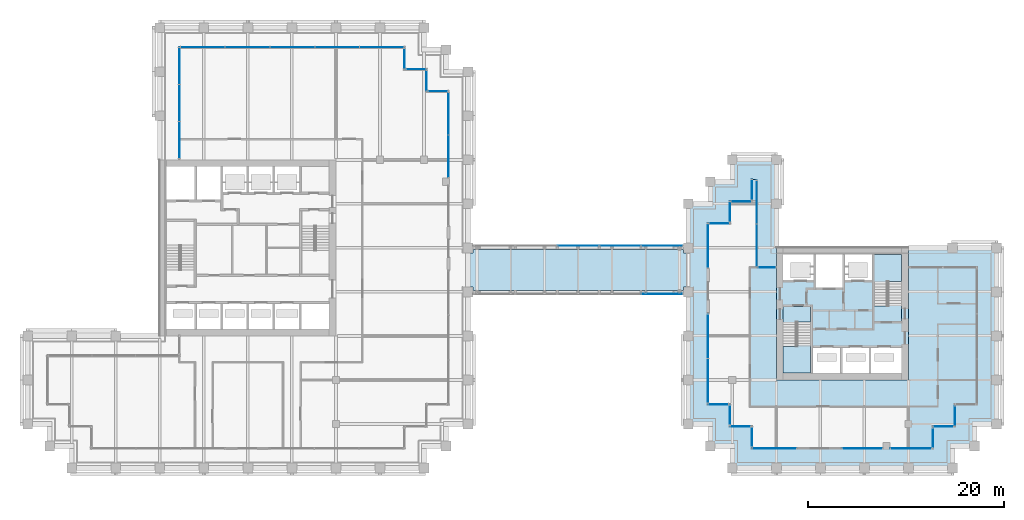
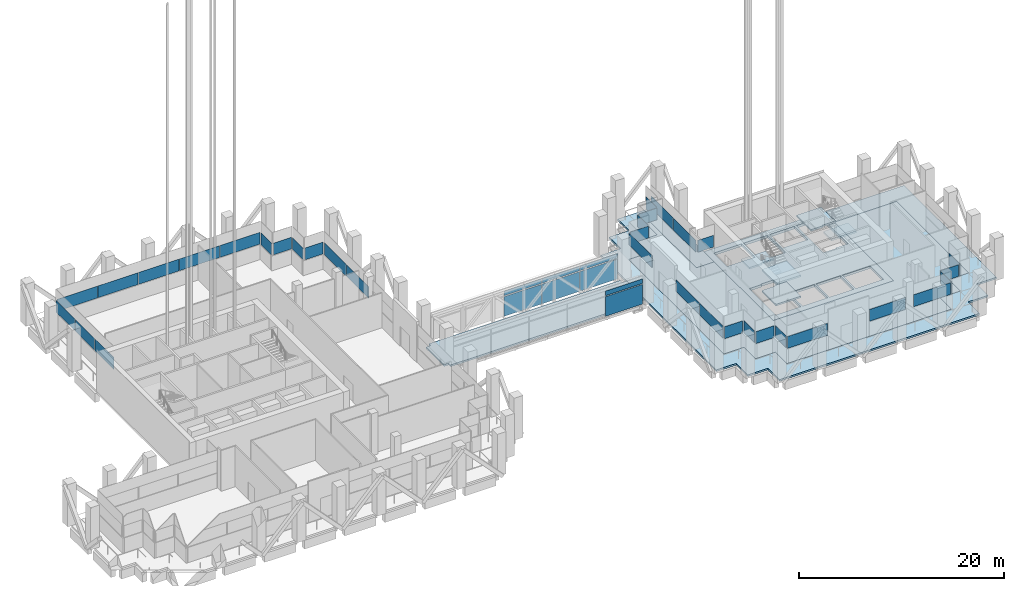
# One storey, part 31 of 48: 42 plates, 9 slabs, 29 elements without a shape of their own.
"""IFC4 building model written with IfcOpenShell, lengths in metres."""

from ifc_helpers import new_model, si_unit, direction, frame, origin, origin_2d, place, context, subcontext, project, spatial, polyline, rectangle, outline, extrude, material, layer, layer_set, type_object, element, aggregate, save


model = new_model("IFC4")

# Units and contexts
model_context = context("Model", 3, precision=1e-05, world=origin(), true_north=direction((0.0, 1.0)))
body_context = subcontext(model_context, "Body", "Model", "MODEL_VIEW")
ifc_project = project(units=[si_unit("LENGTHUNIT", "METRE"), si_unit("AREAUNIT", "SQUARE_METRE"), si_unit("VOLUMEUNIT", "CUBIC_METRE"), si_unit("PLANEANGLEUNIT", "RADIAN"), si_unit("MASSUNIT", "GRAM", prefix="KILO")], contexts=[model_context])

# Site, building, storey
site_placement = place(None, origin())
site = spatial("IfcSite", under=ifc_project, at=site_placement, CompositionType="ELEMENT")
building_placement = place(site_placement, origin())
building = spatial("IfcBuilding", under=site, at=building_placement, Name="Altepetl Exchange Towers", CompositionType="ELEMENT")
storey_placement = place(building_placement, frame((0.0, 0.0, 138.800048828125)))
storey = spatial("IfcBuildingStorey", under=building, at=storey_placement, Name="L34 Refuge and sky lobby", CompositionType="ELEMENT", Elevation=138.800048828125)

# Slabs
ifc_material_1 = material(Name="Concrete C40/50", Category="concrete")
ifc_layer_1 = layer(ifc_material_1, 0.199951171875)
ifc_layer_set_1 = layer_set([ifc_layer_1], Name="Concrete C40/50")
slab_type_1 = type_object("IfcSlabType", Name="Bridge deck slab 200", PredefinedType="FLOOR", material=ifc_layer_set_1)
slab_1_placement = place(storey_placement, frame((0.0, 0.0, -0.199951171875)))
element("IfcSlab", 1, at=slab_1_placement, inside=storey, type_object=slab_type_1, Name="slab:X:L34:deck0", PredefinedType="FLOOR", context=body_context, shape_type="SweptSolid", body=[
    extrude(outline(polyline([(94.0, 45.5), (94.5, 45.5), (94.5, 49.0), (94.0, 49.0), (94.0, 49.346923828125), (72.5, 49.346923828125), (72.5, 49.0), (72.0, 49.0), (72.0, 45.5), (72.5, 45.5), (72.5, 45.153076171875), (94.0, 45.153076171875), (94.0, 45.5)])), origin(), (0.0, 0.0, 1.0), 0.199951171875),
])
ifc_layer_2 = layer(ifc_material_1, 0.199951171875)
ifc_layer_set_2 = layer_set([ifc_layer_2], Name="Concrete C40/50")
slab_type_2 = type_object("IfcSlabType", Name="Composite floor slab 200", PredefinedType="FLOOR", material=ifc_layer_set_2)
slab_2_placement = place(storey_placement, frame((0.0, 0.0, -0.199951171875)))
element("IfcSlab", 2, at=slab_2_placement, inside=storey, type_object=slab_type_2, Name="slab:B:L34:strip0", PredefinedType="FLOOR", context=body_context, shape_type="SweptSolid", body=[
    extrude(outline(polyline([(98.75, 54.25), (98.75, 52.0), (96.5, 52.0), (96.5, 33.5), (98.75, 33.5), (98.75, 31.25), (101.0, 31.25), (101.0, 29.0), (119.5, 29.0), (119.5, 31.25), (121.75, 31.25), (121.75, 33.5), (124.0, 33.5), (124.0, 47.5), (117.0, 47.5), (117.0, 36.0), (103.5, 36.0), (103.5, 47.5), (101.5, 47.5), (101.5, 56.5), (101.0, 56.5), (101.0, 54.25), (98.75, 54.25)])), origin(), (0.0, 0.0, 1.0), 0.199951171875),
])
ifc_layer_3 = layer(ifc_material_1, 0.300048828125)
ifc_layer_set_3 = layer_set([ifc_layer_3], Name="Concrete C40/50")
slab_type_3 = type_object("IfcSlabType", Name="Core floor slab 300", PredefinedType="FLOOR", material=ifc_layer_set_3)
slab_3_placement = place(storey_placement, frame((0.0, 0.0, -0.300048828125)))
element("IfcSlab", 3, at=slab_3_placement, inside=storey, type_object=slab_type_3, Name="slab:B:L34:core0", PredefinedType="FLOOR", context=body_context, shape_type="SweptSolid", body=[
    extrude(outline(polyline([(103.5, 36.0), (117.0, 36.0), (117.0, 49.5), (103.5, 49.5), (103.5, 36.0)]), holes=[polyline([(107.199951171875, 39.300048828125), (110.032958984375, 39.300048828125), (110.032958984375, 36.699951171875), (107.199951171875, 36.699951171875), (107.199951171875, 39.300048828125)]), polyline([(110.23291015625, 39.300048828125), (112.967041015625, 39.300048828125), (112.967041015625, 36.699951171875), (110.23291015625, 36.699951171875), (110.23291015625, 39.300048828125)]), polyline([(113.1669921875, 39.300048828125), (116.300048828125, 39.300048828125), (116.300048828125, 36.699951171875), (113.1669921875, 36.699951171875), (113.1669921875, 39.300048828125)]), polyline([(104.199951171875, 36.699951171875), (104.199951171875, 41.85009765625), (105.550048828125, 41.85009765625), (105.550048828125, 41.948974609375), (107.0, 41.948974609375), (107.0, 36.699951171875), (104.199951171875, 36.699951171875)]), polyline([(116.300048828125, 48.800048828125), (116.300048828125, 43.64990234375), (114.949951171875, 43.64990234375), (114.949951171875, 43.551025390625), (113.5, 43.551025390625), (113.5, 48.800048828125), (116.300048828125, 48.800048828125)]), polyline([(107.532958984375, 48.800048828125), (110.26708984375, 48.800048828125), (110.26708984375, 45.39990234375), (107.532958984375, 45.39990234375), (107.532958984375, 48.800048828125)]), polyline([(104.199951171875, 48.800048828125), (107.3330078125, 48.800048828125), (107.3330078125, 46.199951171875), (104.199951171875, 46.199951171875), (104.199951171875, 48.800048828125)]), polyline([(110.467041015625, 48.800048828125), (113.300048828125, 48.800048828125), (113.300048828125, 46.199951171875), (110.467041015625, 46.199951171875), (110.467041015625, 48.800048828125)])]), origin(), (0.0, 0.0, 1.0), 0.300048828125),
])

# Curtain wall, plates
ifc_material_2 = material(Name="Aluminium 6063-T6 glazing", Category="aluminium")
curtain_wall_type_1 = type_object("IfcCurtainWallType", Name="Bridge enclosure system", PredefinedType="NOTDEFINED", material=ifc_material_2)
curtain_wall_1_placement = place(storey_placement, origin())
curtain_wall_1 = element("IfcCurtainWall", 4, at=curtain_wall_1_placement, inside=storey, type_object=curtain_wall_type_1, Name="CW6 run", PredefinedType="NOTDEFINED")
ifc_material_3 = material(Name="Glass 6-16-6 low emissivity", Category="glass")
ifc_layer_4 = layer(ifc_material_3, 0.028076171875)
ifc_layer_set_4 = layer_set([ifc_layer_4], Name="Glass 6-16-6 low emissivity")
plate_type_1 = type_object("IfcPlateType", Name="Glass panel 28 double glazed", PredefinedType="CURTAIN_PANEL", material=ifc_layer_set_4)
plate_1_placement = place(storey_placement, frame((91.794921875, 44.784912109375, 0.0)))
plate_1 = element("IfcPlate", 5, at=plate_1_placement, type_object=plate_type_1, Name="GP1 panel", PredefinedType="CURTAIN_PANEL", context=body_context, shape_type="SweptSolid", body=[
    extrude(rectangle(XDim=4.18994140625, YDim=0.028076171875, at=origin_2d()), origin(), (0.0, 0.0, 1.0), 2.340087890625),
])
plate_2_placement = place(storey_placement, frame((91.794921875, 44.784912109375, 2.4599609375)))
plate_2 = element("IfcPlate", 6, at=plate_2_placement, type_object=plate_type_1, Name="GP1 panel", PredefinedType="CURTAIN_PANEL", context=body_context, shape_type="SweptSolid", body=[
    extrude(rectangle(XDim=4.18994140625, YDim=0.028076171875, at=origin_2d()), origin(), (0.0, 0.0, 1.0), 0.5400390625),
])
aggregate(curtain_wall_1, [plate_1, plate_2])

curtain_wall_2_placement = place(storey_placement, origin())
curtain_wall_2 = element("IfcCurtainWall", 7, at=curtain_wall_2_placement, inside=storey, type_object=curtain_wall_type_1, Name="CW6 run", PredefinedType="NOTDEFINED")
plate_3_placement = place(storey_placement, frame((83.25, 49.715087890625, 0.0)))
plate_3 = element("IfcPlate", 8, at=plate_3_placement, type_object=plate_type_1, Name="GP1 panel", PredefinedType="CURTAIN_PANEL", context=body_context, shape_type="SweptSolid", body=[
    extrude(rectangle(XDim=4.219970703125, YDim=0.028076171875, at=origin_2d()), origin(), (0.0, 0.0, 1.0), 2.340087890625),
])
plate_4_placement = place(storey_placement, frame((83.25, 49.715087890625, 2.4599609375)))
plate_4 = element("IfcPlate", 9, at=plate_4_placement, type_object=plate_type_1, Name="GP1 panel", PredefinedType="CURTAIN_PANEL", context=body_context, shape_type="SweptSolid", body=[
    extrude(rectangle(XDim=4.219970703125, YDim=0.028076171875, at=origin_2d()), origin(), (0.0, 0.0, 1.0), 0.5400390625),
])
plate_5_placement = place(storey_placement, frame((87.530029296875, 49.715087890625, 0.0)))
plate_5 = element("IfcPlate", 10, at=plate_5_placement, type_object=plate_type_1, Name="GP1 panel", PredefinedType="CURTAIN_PANEL", context=body_context, shape_type="SweptSolid", body=[
    extrude(rectangle(XDim=4.219970703125, YDim=0.028076171875, at=origin_2d()), origin(), (0.0, 0.0, 1.0), 2.340087890625),
])
plate_6_placement = place(storey_placement, frame((87.530029296875, 49.715087890625, 2.4599609375)))
plate_6 = element("IfcPlate", 11, at=plate_6_placement, type_object=plate_type_1, Name="GP1 panel", PredefinedType="CURTAIN_PANEL", context=body_context, shape_type="SweptSolid", body=[
    extrude(rectangle(XDim=4.219970703125, YDim=0.028076171875, at=origin_2d()), origin(), (0.0, 0.0, 1.0), 0.5400390625),
])
plate_7_placement = place(storey_placement, frame((91.794921875, 49.715087890625, 0.0)))
plate_7 = element("IfcPlate", 12, at=plate_7_placement, type_object=plate_type_1, Name="GP1 panel", PredefinedType="CURTAIN_PANEL", context=body_context, shape_type="SweptSolid", body=[
    extrude(rectangle(XDim=4.18994140625, YDim=0.028076171875, at=origin_2d()), origin(), (0.0, 0.0, 1.0), 2.340087890625),
])
plate_8_placement = place(storey_placement, frame((91.794921875, 49.715087890625, 2.4599609375)))
plate_8 = element("IfcPlate", 13, at=plate_8_placement, type_object=plate_type_1, Name="GP1 panel", PredefinedType="CURTAIN_PANEL", context=body_context, shape_type="SweptSolid", body=[
    extrude(rectangle(XDim=4.18994140625, YDim=0.028076171875, at=origin_2d()), origin(), (0.0, 0.0, 1.0), 0.5400390625),
])
aggregate(curtain_wall_2, [plate_3, plate_4, plate_5, plate_6, plate_7, plate_8])

curtain_wall_type_2 = type_object("IfcCurtainWallType", Name="Refuge slit glazing system", PredefinedType="NOTDEFINED", material=ifc_material_2)
curtain_wall_3_placement = place(storey_placement, origin())
curtain_wall_3 = element("IfcCurtainWall", 14, at=curtain_wall_3_placement, inside=storey, type_object=curtain_wall_type_2, Name="CW3 run", PredefinedType="NOTDEFINED")
ifc_material_4 = material(Name="Glass 8-20-8 solar control", Category="glass")
ifc_layer_5 = layer(ifc_material_4, 0.035888671875)
ifc_layer_set_5 = layer_set([ifc_layer_5], Name="Glass 8-20-8 solar control")
plate_type_2 = type_object("IfcPlateType", Name="Glass panel 36 double glazed", PredefinedType="CURTAIN_PANEL", material=ifc_layer_set_5)
plate_9_placement = place(storey_placement, frame((70.0, 58.8486328125, 1.800048828125), z_axis=(0.0, 0.0, 1.0), x_axis=(0.0, 1.0, 0.0)))
plate_9 = element("IfcPlate", 15, at=plate_9_placement, type_object=plate_type_2, Name="GP2 panel", PredefinedType="CURTAIN_PANEL", context=body_context, shape_type="SweptSolid", body=[
    extrude(rectangle(XDim=4.28759765625, YDim=0.035888671875, at=origin_2d()), origin(), (0.0, 0.0, 1.0), 1.39990234375),
])
plate_10_placement = place(storey_placement, frame((70.0, 63.1962890625, 1.800048828125), z_axis=(0.0, 0.0, 1.0), x_axis=(0.0, 1.0, 0.0)))
plate_10 = element("IfcPlate", 16, at=plate_10_placement, type_object=plate_type_2, Name="GP2 panel", PredefinedType="CURTAIN_PANEL", context=body_context, shape_type="SweptSolid", body=[
    extrude(rectangle(XDim=4.28759765625, YDim=0.035888671875, at=origin_2d()), origin(), (0.0, 0.0, 1.0), 1.39990234375),
])
aggregate(curtain_wall_3, [plate_9, plate_10])

# Curtain wall, plate
curtain_wall_4_placement = place(storey_placement, origin())
curtain_wall_4 = element("IfcCurtainWall", 17, at=curtain_wall_4_placement, inside=storey, type_object=curtain_wall_type_2, Name="CW3 run", PredefinedType="NOTDEFINED")
plate_11_placement = place(storey_placement, frame((68.925048828125, 65.5, 1.800048828125), z_axis=(0.0, 0.0, 1.0), x_axis=(-1.0, 0.0, 0.0)))
plate_11 = element("IfcPlate", 18, at=plate_11_placement, type_object=plate_type_2, Name="GP2 panel", PredefinedType="CURTAIN_PANEL", context=body_context, shape_type="SweptSolid", body=[
    extrude(rectangle(XDim=2.030029296875, YDim=0.035888671875, at=origin_2d()), origin(), (0.0, 0.0, 1.0), 1.39990234375),
])
aggregate(curtain_wall_4, [plate_11])

curtain_wall_5_placement = place(storey_placement, origin())
curtain_wall_5 = element("IfcCurtainWall", 19, at=curtain_wall_5_placement, inside=storey, type_object=curtain_wall_type_2, Name="CW3 run", PredefinedType="NOTDEFINED")
plate_12_placement = place(storey_placement, frame((67.75, 66.574951171875, 1.800048828125), z_axis=(0.0, 0.0, 1.0), x_axis=(0.0, 1.0, 0.0)))
plate_12 = element("IfcPlate", 20, at=plate_12_placement, type_object=plate_type_2, Name="GP2 panel", PredefinedType="CURTAIN_PANEL", context=body_context, shape_type="SweptSolid", body=[
    extrude(rectangle(XDim=2.030029296875, YDim=0.035888671875, at=origin_2d()), origin(), (0.0, 0.0, 1.0), 1.39990234375),
])
aggregate(curtain_wall_5, [plate_12])

curtain_wall_6_placement = place(storey_placement, origin())
curtain_wall_6 = element("IfcCurtainWall", 21, at=curtain_wall_6_placement, inside=storey, type_object=curtain_wall_type_2, Name="CW3 run", PredefinedType="NOTDEFINED")
plate_13_placement = place(storey_placement, frame((66.675048828125, 67.75, 1.800048828125), z_axis=(0.0, 0.0, 1.0), x_axis=(-1.0, 0.0, 0.0)))
plate_13 = element("IfcPlate", 22, at=plate_13_placement, type_object=plate_type_2, Name="GP2 panel", PredefinedType="CURTAIN_PANEL", context=body_context, shape_type="SweptSolid", body=[
    extrude(rectangle(XDim=2.030029296875, YDim=0.035888671875, at=origin_2d()), origin(), (0.0, 0.0, 1.0), 1.39990234375),
])
aggregate(curtain_wall_6, [plate_13])

curtain_wall_7_placement = place(storey_placement, origin())
curtain_wall_7 = element("IfcCurtainWall", 23, at=curtain_wall_7_placement, inside=storey, type_object=curtain_wall_type_2, Name="CW3 run", PredefinedType="NOTDEFINED")
plate_14_placement = place(storey_placement, frame((65.5, 68.824951171875, 1.800048828125), z_axis=(0.0, 0.0, 1.0), x_axis=(0.0, 1.0, 0.0)))
plate_14 = element("IfcPlate", 24, at=plate_14_placement, type_object=plate_type_2, Name="GP2 panel", PredefinedType="CURTAIN_PANEL", context=body_context, shape_type="SweptSolid", body=[
    extrude(rectangle(XDim=2.030029296875, YDim=0.035888671875, at=origin_2d()), origin(), (0.0, 0.0, 1.0), 1.39990234375),
])
aggregate(curtain_wall_7, [plate_14])

# Curtain wall, plates
curtain_wall_8_placement = place(storey_placement, origin())
curtain_wall_8 = element("IfcCurtainWall", 25, at=curtain_wall_8_placement, inside=storey, type_object=curtain_wall_type_2, Name="CW3 run", PredefinedType="NOTDEFINED")
plate_15_placement = place(storey_placement, frame((63.195068359375, 70.0, 1.800048828125), z_axis=(0.0, 0.0, 1.0), x_axis=(-1.0, 0.0, 0.0)))
plate_15 = element("IfcPlate", 26, at=plate_15_placement, type_object=plate_type_2, Name="GP2 panel", PredefinedType="CURTAIN_PANEL", context=body_context, shape_type="SweptSolid", body=[
    extrude(rectangle(XDim=4.489990234375, YDim=0.035888671875, at=origin_2d()), origin(), (0.0, 0.0, 1.0), 1.39990234375),
])
plate_16_placement = place(storey_placement, frame((58.6298828125, 70.0, 1.800048828125), z_axis=(0.0, 0.0, 1.0), x_axis=(-1.0, 0.0, 0.0)))
plate_16 = element("IfcPlate", 27, at=plate_16_placement, type_object=plate_type_2, Name="GP2 panel", PredefinedType="CURTAIN_PANEL", context=body_context, shape_type="SweptSolid", body=[
    extrude(rectangle(XDim=4.52001953125, YDim=0.035888671875, at=origin_2d()), origin(), (0.0, 0.0, 1.0), 1.39990234375),
])
plate_17_placement = place(storey_placement, frame((54.050048828125, 70.0, 1.800048828125), z_axis=(0.0, 0.0, 1.0), x_axis=(-1.0, 0.0, 0.0)))
plate_17 = element("IfcPlate", 28, at=plate_17_placement, type_object=plate_type_2, Name="GP2 panel", PredefinedType="CURTAIN_PANEL", context=body_context, shape_type="SweptSolid", body=[
    extrude(rectangle(XDim=4.52001953125, YDim=0.035888671875, at=origin_2d()), origin(), (0.0, 0.0, 1.0), 1.39990234375),
])
plate_18_placement = place(storey_placement, frame((49.469970703125, 70.0, 1.800048828125), z_axis=(0.0, 0.0, 1.0), x_axis=(-1.0, 0.0, 0.0)))
plate_18 = element("IfcPlate", 29, at=plate_18_placement, type_object=plate_type_2, Name="GP2 panel", PredefinedType="CURTAIN_PANEL", context=body_context, shape_type="SweptSolid", body=[
    extrude(rectangle(XDim=4.52001953125, YDim=0.035888671875, at=origin_2d()), origin(), (0.0, 0.0, 1.0), 1.39990234375),
])
plate_19_placement = place(storey_placement, frame((44.905029296875, 70.0, 1.800048828125), z_axis=(0.0, 0.0, 1.0), x_axis=(-1.0, 0.0, 0.0)))
plate_19 = element("IfcPlate", 30, at=plate_19_placement, type_object=plate_type_2, Name="GP2 panel", PredefinedType="CURTAIN_PANEL", context=body_context, shape_type="SweptSolid", body=[
    extrude(rectangle(XDim=4.489990234375, YDim=0.035888671875, at=origin_2d()), origin(), (0.0, 0.0, 1.0), 1.39990234375),
])
aggregate(curtain_wall_8, [plate_15, plate_16, plate_17, plate_18, plate_19])

curtain_wall_9_placement = place(storey_placement, origin())
curtain_wall_9 = element("IfcCurtainWall", 31, at=curtain_wall_9_placement, inside=storey, type_object=curtain_wall_type_2, Name="CW3 run", PredefinedType="NOTDEFINED")
plate_20_placement = place(storey_placement, frame((42.5, 68.0849609375, 1.800048828125), z_axis=(0.0, 0.0, 1.0), x_axis=(0.0, -1.0, 0.0)))
plate_20 = element("IfcPlate", 32, at=plate_20_placement, type_object=plate_type_2, Name="GP2 panel", PredefinedType="CURTAIN_PANEL", context=body_context, shape_type="SweptSolid", body=[
    extrude(rectangle(XDim=3.7099609375, YDim=0.035888671875, at=origin_2d()), origin(), (0.0, 0.0, 1.0), 1.39990234375),
])
plate_21_placement = place(storey_placement, frame((42.5, 64.300048828125, 1.800048828125), z_axis=(0.0, 0.0, 1.0), x_axis=(0.0, -1.0, 0.0)))
plate_21 = element("IfcPlate", 33, at=plate_21_placement, type_object=plate_type_2, Name="GP2 panel", PredefinedType="CURTAIN_PANEL", context=body_context, shape_type="SweptSolid", body=[
    extrude(rectangle(XDim=3.739990234375, YDim=0.035888671875, at=origin_2d()), origin(), (0.0, 0.0, 1.0), 1.39990234375),
])
plate_22_placement = place(storey_placement, frame((42.5, 60.514892578125, 1.800048828125), z_axis=(0.0, 0.0, 1.0), x_axis=(0.0, -1.0, 0.0)))
plate_22 = element("IfcPlate", 34, at=plate_22_placement, type_object=plate_type_2, Name="GP2 panel", PredefinedType="CURTAIN_PANEL", context=body_context, shape_type="SweptSolid", body=[
    extrude(rectangle(XDim=3.7099609375, YDim=0.035888671875, at=origin_2d()), origin(), (0.0, 0.0, 1.0), 1.39990234375),
])
aggregate(curtain_wall_9, [plate_20, plate_21, plate_22])

# Curtain wall, plate
curtain_wall_10_placement = place(storey_placement, origin())
curtain_wall_10 = element("IfcCurtainWall", 35, at=curtain_wall_10_placement, inside=storey, type_object=curtain_wall_type_2, Name="CW3 run", PredefinedType="NOTDEFINED")
plate_23_placement = place(storey_placement, frame((97.675048828125, 52.0, 1.800048828125), z_axis=(0.0, 0.0, 1.0), x_axis=(-1.0, 0.0, 0.0)))
plate_23 = element("IfcPlate", 36, at=plate_23_placement, type_object=plate_type_2, Name="GP2 panel", PredefinedType="CURTAIN_PANEL", context=body_context, shape_type="SweptSolid", body=[
    extrude(rectangle(XDim=2.030029296875, YDim=0.035888671875, at=origin_2d()), origin(), (0.0, 0.0, 1.0), 1.39990234375),
])
aggregate(curtain_wall_10, [plate_23])

curtain_wall_11_placement = place(storey_placement, origin())
curtain_wall_11 = element("IfcCurtainWall", 37, at=curtain_wall_11_placement, inside=storey, type_object=curtain_wall_type_2, Name="CW3 run", PredefinedType="NOTDEFINED")
plate_24_placement = place(storey_placement, frame((96.5, 49.699951171875, 1.800048828125), z_axis=(0.0, 0.0, 1.0), x_axis=(0.0, -1.0, 0.0)))
plate_24 = element("IfcPlate", 38, at=plate_24_placement, type_object=plate_type_2, Name="GP2 panel", PredefinedType="CURTAIN_PANEL", context=body_context, shape_type="SweptSolid", body=[
    extrude(rectangle(XDim=4.47998046875, YDim=0.035888671875, at=origin_2d()), origin(), (0.0, 0.0, 1.0), 1.39990234375),
])
aggregate(curtain_wall_11, [plate_24])

# Curtain wall, plates
curtain_wall_12_placement = place(storey_placement, origin())
curtain_wall_12 = element("IfcCurtainWall", 39, at=curtain_wall_12_placement, inside=storey, type_object=curtain_wall_type_2, Name="CW3 run", PredefinedType="NOTDEFINED")
plate_25_placement = place(storey_placement, frame((96.5, 40.485107421875, 1.800048828125), z_axis=(0.0, 0.0, 1.0), x_axis=(0.0, -1.0, 0.0)))
plate_25 = element("IfcPlate", 40, at=plate_25_placement, type_object=plate_type_2, Name="GP2 panel", PredefinedType="CURTAIN_PANEL", context=body_context, shape_type="SweptSolid", body=[
    extrude(rectangle(XDim=4.510009765625, YDim=0.035888671875, at=origin_2d()), origin(), (0.0, 0.0, 1.0), 1.39990234375),
])
plate_26_placement = place(storey_placement, frame((96.5, 35.9150390625, 1.800048828125), z_axis=(0.0, 0.0, 1.0), x_axis=(0.0, -1.0, 0.0)))
plate_26 = element("IfcPlate", 41, at=plate_26_placement, type_object=plate_type_2, Name="GP2 panel", PredefinedType="CURTAIN_PANEL", context=body_context, shape_type="SweptSolid", body=[
    extrude(rectangle(XDim=4.510009765625, YDim=0.035888671875, at=origin_2d()), origin(), (0.0, 0.0, 1.0), 1.39990234375),
])
aggregate(curtain_wall_12, [plate_25, plate_26])

# Curtain wall, plate
curtain_wall_13_placement = place(storey_placement, origin())
curtain_wall_13 = element("IfcCurtainWall", 42, at=curtain_wall_13_placement, inside=storey, type_object=curtain_wall_type_2, Name="CW3 run", PredefinedType="NOTDEFINED")
plate_27_placement = place(storey_placement, frame((97.574951171875, 33.5, 1.800048828125)))
plate_27 = element("IfcPlate", 43, at=plate_27_placement, type_object=plate_type_2, Name="GP2 panel", PredefinedType="CURTAIN_PANEL", context=body_context, shape_type="SweptSolid", body=[
    extrude(rectangle(XDim=2.030029296875, YDim=0.035888671875, at=origin_2d()), origin(), (0.0, 0.0, 1.0), 1.39990234375),
])
aggregate(curtain_wall_13, [plate_27])

curtain_wall_14_placement = place(storey_placement, origin())
curtain_wall_14 = element("IfcCurtainWall", 44, at=curtain_wall_14_placement, inside=storey, type_object=curtain_wall_type_2, Name="CW3 run", PredefinedType="NOTDEFINED")
plate_28_placement = place(storey_placement, frame((98.75, 32.425048828125, 1.800048828125), z_axis=(0.0, 0.0, 1.0), x_axis=(0.0, -1.0, 0.0)))
plate_28 = element("IfcPlate", 45, at=plate_28_placement, type_object=plate_type_2, Name="GP2 panel", PredefinedType="CURTAIN_PANEL", context=body_context, shape_type="SweptSolid", body=[
    extrude(rectangle(XDim=2.030029296875, YDim=0.035888671875, at=origin_2d()), origin(), (0.0, 0.0, 1.0), 1.39990234375),
])
aggregate(curtain_wall_14, [plate_28])

curtain_wall_15_placement = place(storey_placement, origin())
curtain_wall_15 = element("IfcCurtainWall", 46, at=curtain_wall_15_placement, inside=storey, type_object=curtain_wall_type_2, Name="CW3 run", PredefinedType="NOTDEFINED")
plate_29_placement = place(storey_placement, frame((99.824951171875, 31.25, 1.800048828125)))
plate_29 = element("IfcPlate", 47, at=plate_29_placement, type_object=plate_type_2, Name="GP2 panel", PredefinedType="CURTAIN_PANEL", context=body_context, shape_type="SweptSolid", body=[
    extrude(rectangle(XDim=2.030029296875, YDim=0.035888671875, at=origin_2d()), origin(), (0.0, 0.0, 1.0), 1.39990234375),
])
aggregate(curtain_wall_15, [plate_29])

curtain_wall_16_placement = place(storey_placement, origin())
curtain_wall_16 = element("IfcCurtainWall", 48, at=curtain_wall_16_placement, inside=storey, type_object=curtain_wall_type_2, Name="CW3 run", PredefinedType="NOTDEFINED")
plate_30_placement = place(storey_placement, frame((101.0, 30.175048828125, 1.800048828125), z_axis=(0.0, 0.0, 1.0), x_axis=(0.0, -1.0, 0.0)))
plate_30 = element("IfcPlate", 49, at=plate_30_placement, type_object=plate_type_2, Name="GP2 panel", PredefinedType="CURTAIN_PANEL", context=body_context, shape_type="SweptSolid", body=[
    extrude(rectangle(XDim=2.030029296875, YDim=0.035888671875, at=origin_2d()), origin(), (0.0, 0.0, 1.0), 1.39990234375),
])
aggregate(curtain_wall_16, [plate_30])

curtain_wall_17_placement = place(storey_placement, origin())
curtain_wall_17 = element("IfcCurtainWall", 50, at=curtain_wall_17_placement, inside=storey, type_object=curtain_wall_type_2, Name="CW3 run", PredefinedType="NOTDEFINED")
plate_31_placement = place(storey_placement, frame((103.300048828125, 29.0, 1.800048828125)))
plate_31 = element("IfcPlate", 51, at=plate_31_placement, type_object=plate_type_2, Name="GP2 panel", PredefinedType="CURTAIN_PANEL", context=body_context, shape_type="SweptSolid", body=[
    extrude(rectangle(XDim=4.47998046875, YDim=0.035888671875, at=origin_2d()), origin(), (0.0, 0.0, 1.0), 1.39990234375),
])
aggregate(curtain_wall_17, [plate_31])

curtain_wall_18_placement = place(storey_placement, origin())
curtain_wall_18 = element("IfcCurtainWall", 52, at=curtain_wall_18_placement, inside=storey, type_object=curtain_wall_type_2, Name="CW3 run", PredefinedType="NOTDEFINED")
plate_32_placement = place(storey_placement, frame((112.277587890625, 29.0, 1.800048828125)))
plate_32 = element("IfcPlate", 53, at=plate_32_placement, type_object=plate_type_2, Name="GP2 panel", PredefinedType="CURTAIN_PANEL", context=body_context, shape_type="SweptSolid", body=[
    extrude(rectangle(XDim=4.034912109375, YDim=0.035888671875, at=origin_2d()), origin(), (0.0, 0.0, 1.0), 1.39990234375),
])
aggregate(curtain_wall_18, [plate_32])

curtain_wall_19_placement = place(storey_placement, origin())
curtain_wall_19 = element("IfcCurtainWall", 54, at=curtain_wall_19_placement, inside=storey, type_object=curtain_wall_type_2, Name="CW3 run", PredefinedType="NOTDEFINED")
plate_33_placement = place(storey_placement, frame((117.2724609375, 29.0, 1.800048828125)))
plate_33 = element("IfcPlate", 55, at=plate_33_placement, type_object=plate_type_2, Name="GP2 panel", PredefinedType="CURTAIN_PANEL", context=body_context, shape_type="SweptSolid", body=[
    extrude(rectangle(XDim=4.135009765625, YDim=0.035888671875, at=origin_2d()), origin(), (0.0, 0.0, 1.0), 1.39990234375),
])
aggregate(curtain_wall_19, [plate_33])

curtain_wall_20_placement = place(storey_placement, origin())
curtain_wall_20 = element("IfcCurtainWall", 56, at=curtain_wall_20_placement, inside=storey, type_object=curtain_wall_type_2, Name="CW3 run", PredefinedType="NOTDEFINED")
plate_34_placement = place(storey_placement, frame((119.5, 30.074951171875, 1.800048828125), z_axis=(0.0, 0.0, 1.0), x_axis=(0.0, 1.0, 0.0)))
plate_34 = element("IfcPlate", 57, at=plate_34_placement, type_object=plate_type_2, Name="GP2 panel", PredefinedType="CURTAIN_PANEL", context=body_context, shape_type="SweptSolid", body=[
    extrude(rectangle(XDim=2.030029296875, YDim=0.035888671875, at=origin_2d()), origin(), (0.0, 0.0, 1.0), 1.39990234375),
])
aggregate(curtain_wall_20, [plate_34])

curtain_wall_21_placement = place(storey_placement, origin())
curtain_wall_21 = element("IfcCurtainWall", 58, at=curtain_wall_21_placement, inside=storey, type_object=curtain_wall_type_2, Name="CW3 run", PredefinedType="NOTDEFINED")
plate_35_placement = place(storey_placement, frame((120.574951171875, 31.25, 1.800048828125)))
plate_35 = element("IfcPlate", 59, at=plate_35_placement, type_object=plate_type_2, Name="GP2 panel", PredefinedType="CURTAIN_PANEL", context=body_context, shape_type="SweptSolid", body=[
    extrude(rectangle(XDim=2.030029296875, YDim=0.035888671875, at=origin_2d()), origin(), (0.0, 0.0, 1.0), 1.39990234375),
])
aggregate(curtain_wall_21, [plate_35])

curtain_wall_22_placement = place(storey_placement, origin())
curtain_wall_22 = element("IfcCurtainWall", 60, at=curtain_wall_22_placement, inside=storey, type_object=curtain_wall_type_2, Name="CW3 run", PredefinedType="NOTDEFINED")
plate_36_placement = place(storey_placement, frame((121.75, 32.324951171875, 1.800048828125), z_axis=(0.0, 0.0, 1.0), x_axis=(0.0, 1.0, 0.0)))
plate_36 = element("IfcPlate", 61, at=plate_36_placement, type_object=plate_type_2, Name="GP2 panel", PredefinedType="CURTAIN_PANEL", context=body_context, shape_type="SweptSolid", body=[
    extrude(rectangle(XDim=2.030029296875, YDim=0.035888671875, at=origin_2d()), origin(), (0.0, 0.0, 1.0), 1.39990234375),
])
aggregate(curtain_wall_22, [plate_36])

curtain_wall_23_placement = place(storey_placement, origin())
curtain_wall_23 = element("IfcCurtainWall", 62, at=curtain_wall_23_placement, inside=storey, type_object=curtain_wall_type_2, Name="CW3 run", PredefinedType="NOTDEFINED")
plate_37_placement = place(storey_placement, frame((102.550048828125, 47.5, 1.800048828125), z_axis=(0.0, 0.0, 1.0), x_axis=(-1.0, 0.0, 0.0)))
plate_37 = element("IfcPlate", 63, at=plate_37_placement, type_object=plate_type_2, Name="GP2 panel", PredefinedType="CURTAIN_PANEL", context=body_context, shape_type="SweptSolid", body=[
    extrude(rectangle(XDim=1.780029296875, YDim=0.035888671875, at=origin_2d()), origin(), (0.0, 0.0, 1.0), 1.39990234375),
])
aggregate(curtain_wall_23, [plate_37])

# Curtain wall, plates
curtain_wall_24_placement = place(storey_placement, origin())
curtain_wall_24 = element("IfcCurtainWall", 64, at=curtain_wall_24_placement, inside=storey, type_object=curtain_wall_type_2, Name="CW3 run", PredefinedType="NOTDEFINED")
plate_38_placement = place(storey_placement, frame((101.5, 49.739990234375, 1.800048828125), z_axis=(0.0, 0.0, 1.0), x_axis=(0.0, 1.0, 0.0)))
plate_38 = element("IfcPlate", 65, at=plate_38_placement, type_object=plate_type_2, Name="GP2 panel", PredefinedType="CURTAIN_PANEL", context=body_context, shape_type="SweptSolid", body=[
    extrude(rectangle(XDim=4.360107421875, YDim=0.035888671875, at=origin_2d()), origin(), (0.0, 0.0, 1.0), 1.39990234375),
])
plate_39_placement = place(storey_placement, frame((101.5, 54.159912109375, 1.800048828125), z_axis=(0.0, 0.0, 1.0), x_axis=(0.0, 1.0, 0.0)))
plate_39 = element("IfcPlate", 66, at=plate_39_placement, type_object=plate_type_2, Name="GP2 panel", PredefinedType="CURTAIN_PANEL", context=body_context, shape_type="SweptSolid", body=[
    extrude(rectangle(XDim=4.360107421875, YDim=0.035888671875, at=origin_2d()), origin(), (0.0, 0.0, 1.0), 1.39990234375),
])
aggregate(curtain_wall_24, [plate_38, plate_39])

# Curtain wall, plate
curtain_wall_25_placement = place(storey_placement, origin())
curtain_wall_25 = element("IfcCurtainWall", 67, at=curtain_wall_25_placement, inside=storey, type_object=curtain_wall_type_2, Name="CW3 run", PredefinedType="NOTDEFINED")
plate_40_placement = place(storey_placement, frame((101.0, 55.425048828125, 1.800048828125), z_axis=(0.0, 0.0, 1.0), x_axis=(0.0, -1.0, 0.0)))
plate_40 = element("IfcPlate", 68, at=plate_40_placement, type_object=plate_type_2, Name="GP2 panel", PredefinedType="CURTAIN_PANEL", context=body_context, shape_type="SweptSolid", body=[
    extrude(rectangle(XDim=2.030029296875, YDim=0.035888671875, at=origin_2d()), origin(), (0.0, 0.0, 1.0), 1.39990234375),
])
aggregate(curtain_wall_25, [plate_40])

curtain_wall_26_placement = place(storey_placement, origin())
curtain_wall_26 = element("IfcCurtainWall", 69, at=curtain_wall_26_placement, inside=storey, type_object=curtain_wall_type_2, Name="CW3 run", PredefinedType="NOTDEFINED")
plate_41_placement = place(storey_placement, frame((99.925048828125, 54.25, 1.800048828125), z_axis=(0.0, 0.0, 1.0), x_axis=(-1.0, 0.0, 0.0)))
plate_41 = element("IfcPlate", 70, at=plate_41_placement, type_object=plate_type_2, Name="GP2 panel", PredefinedType="CURTAIN_PANEL", context=body_context, shape_type="SweptSolid", body=[
    extrude(rectangle(XDim=2.030029296875, YDim=0.035888671875, at=origin_2d()), origin(), (0.0, 0.0, 1.0), 1.39990234375),
])
aggregate(curtain_wall_26, [plate_41])

curtain_wall_27_placement = place(storey_placement, origin())
curtain_wall_27 = element("IfcCurtainWall", 71, at=curtain_wall_27_placement, inside=storey, type_object=curtain_wall_type_2, Name="CW3 run", PredefinedType="NOTDEFINED")
plate_42_placement = place(storey_placement, frame((98.75, 53.175048828125, 1.800048828125), z_axis=(0.0, 0.0, 1.0), x_axis=(0.0, -1.0, 0.0)))
plate_42 = element("IfcPlate", 72, at=plate_42_placement, type_object=plate_type_2, Name="GP2 panel", PredefinedType="CURTAIN_PANEL", context=body_context, shape_type="SweptSolid", body=[
    extrude(rectangle(XDim=2.030029296875, YDim=0.035888671875, at=origin_2d()), origin(), (0.0, 0.0, 1.0), 1.39990234375),
])
aggregate(curtain_wall_27, [plate_42])

# Slab
ifc_layer_6 = layer(ifc_material_1, 0.199951171875)
ifc_layer_set_6 = layer_set([ifc_layer_6], Name="Concrete C40/50")
slab_type_4 = type_object("IfcSlabType", Name="Loggia slab 200", PredefinedType="FLOOR", material=ifc_layer_set_6)
slab_4_placement = place(storey_placement, frame((0.0, 0.0, -0.199951171875)))
element("IfcSlab", 73, at=slab_4_placement, inside=storey, type_object=slab_type_4, Name="slab:B:L34:loggia0", PredefinedType="FLOOR", context=body_context, shape_type="SweptSolid", body=[
    extrude(outline(polyline([(96.75, 54.0), (94.5, 54.0), (94.5, 36.0), (94.5, 31.5), (96.75, 31.5), (96.75, 29.25), (99.0, 29.25), (99.0, 27.0), (117.0, 27.0), (121.5, 27.0), (121.5, 29.25), (123.75, 29.25), (123.75, 31.5), (126.0, 31.5), (126.0, 49.5), (117.0, 49.5), (117.0, 47.5), (124.0, 47.5), (124.0, 33.5), (121.75, 33.5), (121.75, 31.25), (119.5, 31.25), (119.5, 29.0), (101.0, 29.0), (101.0, 31.25), (98.75, 31.25), (98.75, 33.5), (96.5, 33.5), (96.5, 52.0), (98.75, 52.0), (98.75, 54.25), (101.0, 54.25), (101.0, 56.5), (101.5, 56.5), (101.5, 47.5), (103.5, 47.5), (103.5, 49.5), (103.5, 58.5), (99.0, 58.5), (99.0, 56.25), (96.75, 56.25), (96.75, 54.0)])), origin(), (0.0, 0.0, 1.0), 0.199951171875),
])

# Stair, slabs
stair_type = type_object("IfcStairType", Name="Exit stair 1350 flights dogleg", PredefinedType="HALF_TURN_STAIR", material=ifc_material_1)
stair_1_placement = place(storey_placement, origin())
stair_1 = element("IfcStair", 74, at=stair_1_placement, inside=storey, type_object=stair_type, Name="Exit stair 1", PredefinedType="HALF_TURN_STAIR")
ifc_layer_7 = layer(ifc_material_1, 0.199951171875)
ifc_layer_set_7 = layer_set([ifc_layer_7], Name="Concrete C40/50")
slab_type_5 = type_object("IfcSlabType", Name="Stair landing 200 reinforced concrete", PredefinedType="LANDING", material=ifc_layer_set_7)
slab_5_placement = place(storey_placement, frame((0.0, 0.0, 1.050048828125)))
slab_5 = element("IfcSlab", 75, at=slab_5_placement, type_object=slab_type_5, Name="ST-B1d landing 1", PredefinedType="LANDING", context=body_context, shape_type="SweptSolid", body=[
    extrude(outline(polyline([(107.0, 36.699951171875), (104.199951171875, 36.699951171875), (104.199951171875, 39.429931640625), (104.199951171875, 39.4306640625), (105.550048828125, 39.4306640625), (105.550048828125, 39.429931640625), (105.64990234375, 39.429931640625), (105.64990234375, 39.530029296875), (107.0, 39.530029296875), (107.0, 39.429931640625), (107.0, 36.699951171875)])), origin(), (0.0, 0.0, 1.0), 0.199951171875),
])
slab_6_placement = place(storey_placement, frame((0.0, 0.0, 2.300048828125)))
slab_6 = element("IfcSlab", 76, at=slab_6_placement, type_object=slab_type_5, Name="ST-B1d landing 2", PredefinedType="LANDING", context=body_context, shape_type="SweptSolid", body=[
    extrude(outline(polyline([(105.550048828125, 41.85009765625), (104.199951171875, 41.85009765625), (104.199951171875, 41.949951171875), (104.199951171875, 43.5), (107.0, 43.5), (107.0, 41.949951171875), (107.0, 41.94921875), (105.64990234375, 41.94921875), (105.64990234375, 41.949951171875), (105.550048828125, 41.949951171875), (105.550048828125, 41.85009765625)])), origin(), (0.0, 0.0, 1.0), 0.199951171875),
])
slab_7_placement = place(storey_placement, frame((0.0, 0.0, 3.550048828125)))
slab_7 = element("IfcSlab", 77, at=slab_7_placement, type_object=slab_type_5, Name="ST-B1d landing 3", PredefinedType="LANDING", context=body_context, shape_type="SweptSolid", body=[
    extrude(outline(polyline([(107.0, 36.699951171875), (104.199951171875, 36.699951171875), (104.199951171875, 39.429931640625), (104.199951171875, 39.4306640625), (105.550048828125, 39.4306640625), (105.550048828125, 39.429931640625), (105.64990234375, 39.429931640625), (105.64990234375, 39.530029296875), (107.0, 39.530029296875), (107.0, 39.429931640625), (107.0, 36.699951171875)])), origin(), (0.0, 0.0, 1.0), 0.199951171875),
])
aggregate(stair_1, [slab_5, slab_6, slab_7])

stair_2_placement = place(storey_placement, origin())
stair_2 = element("IfcStair", 78, at=stair_2_placement, inside=storey, type_object=stair_type, Name="Exit stair 2", PredefinedType="HALF_TURN_STAIR")
slab_8_placement = place(storey_placement, frame((0.0, 0.0, 1.050048828125)))
slab_8 = element("IfcSlab", 79, at=slab_8_placement, type_object=slab_type_5, Name="ST-B2d landing 1", PredefinedType="LANDING", context=body_context, shape_type="SweptSolid", body=[
    extrude(outline(polyline([(114.85009765625, 45.969970703125), (113.5, 45.969970703125), (113.5, 46.070068359375), (113.5, 48.800048828125), (116.300048828125, 48.800048828125), (116.300048828125, 46.070068359375), (116.300048828125, 46.0693359375), (114.949951171875, 46.0693359375), (114.949951171875, 46.070068359375), (114.85009765625, 46.070068359375), (114.85009765625, 45.969970703125)])), origin(), (0.0, 0.0, 1.0), 0.199951171875),
])
slab_9_placement = place(storey_placement, frame((0.0, 0.0, 2.300048828125)))
slab_9 = element("IfcSlab", 80, at=slab_9_placement, type_object=slab_type_5, Name="ST-B2d landing 2", PredefinedType="LANDING", context=body_context, shape_type="SweptSolid", body=[
    extrude(outline(polyline([(116.300048828125, 42.0), (113.5, 42.0), (113.5, 43.550048828125), (113.5, 43.55078125), (114.85009765625, 43.55078125), (114.85009765625, 43.550048828125), (114.949951171875, 43.550048828125), (114.949951171875, 43.64990234375), (116.300048828125, 43.64990234375), (116.300048828125, 43.550048828125), (116.300048828125, 42.0)])), origin(), (0.0, 0.0, 1.0), 0.199951171875),
])
aggregate(stair_2, [slab_8, slab_9])

save(model, "model.ifc")
